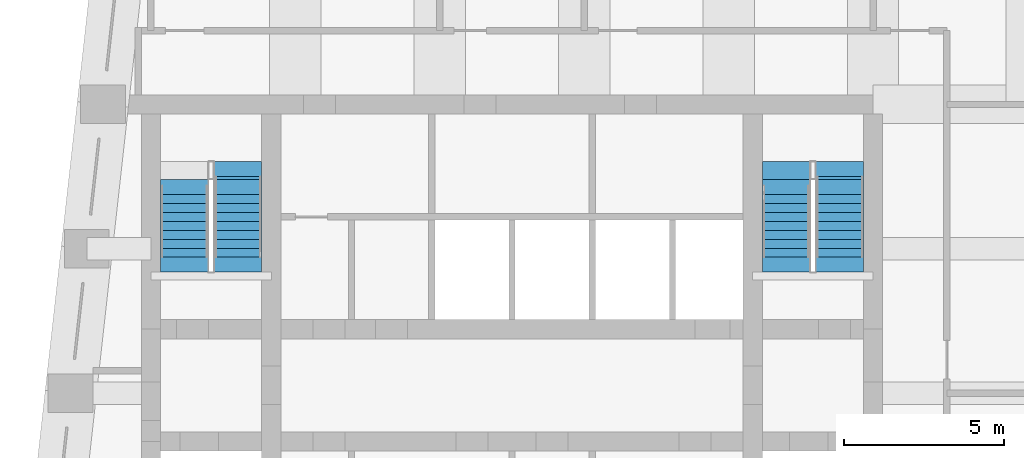
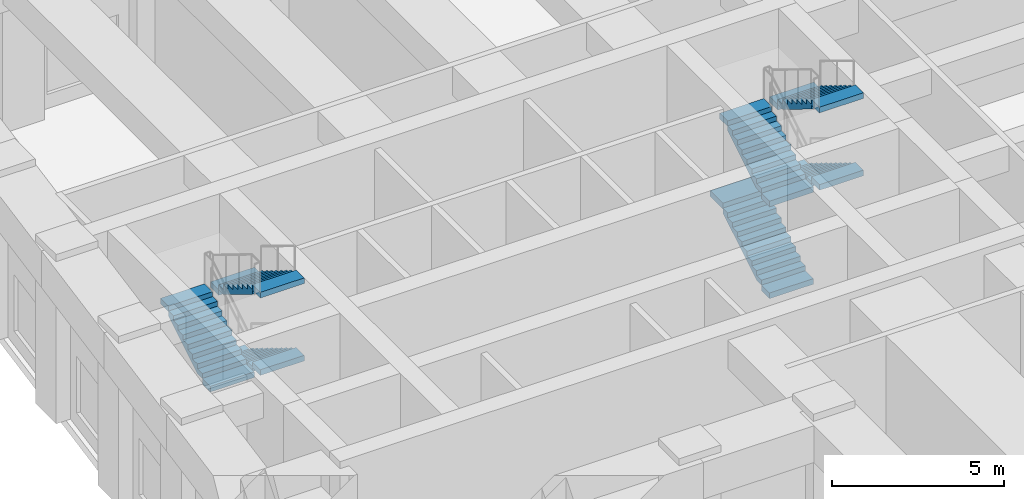
# One storey, part 5 of 7: 7 stair flights, 2 elements without a shape of their own.
"""IFC4 building model written with IfcOpenShell, lengths in metres."""

from ifc_helpers import new_model, si_unit, direction, frame, origin, place, context, subcontext, project, spatial, polyline, outline, extrude, material, type_object, element, aggregate, save


model = new_model("IFC4")

# Units and contexts
model_context = context("Model", 3, precision=1e-05, world=origin(), true_north=direction((0.0, 1.0)))
body_context = subcontext(model_context, "Body", "Model", "MODEL_VIEW")
ifc_project = project(units=[si_unit("LENGTHUNIT", "METRE"), si_unit("AREAUNIT", "SQUARE_METRE"), si_unit("VOLUMEUNIT", "CUBIC_METRE"), si_unit("PLANEANGLEUNIT", "RADIAN"), si_unit("MASSUNIT", "GRAM", prefix="KILO")], contexts=[model_context])

# Site, building, storey
site_placement = place(None, origin())
site = spatial("IfcSite", under=ifc_project, at=site_placement, CompositionType="ELEMENT")
building_placement = place(site_placement, origin())
building = spatial("IfcBuilding", under=site, at=building_placement, Name="Kilele Tower Hotel", CompositionType="ELEMENT")
storey_placement = place(building_placement, frame((0.0, 0.0, 244.699951171875)))
storey = spatial("IfcBuildingStorey", under=building, at=storey_placement, Name="L63", CompositionType="ELEMENT", Elevation=244.699951171875)

# Stair, stair flights
ifc_material_1 = material(Name="Precast concrete C40/50", Category="concrete")
stair_type = type_object("IfcStairType", Name="Stair 1475 x 6000", PredefinedType="HALF_TURN_STAIR", material=ifc_material_1)
stair_1_placement = place(storey_placement, origin())
stair_1 = element("IfcStair", 1, at=stair_1_placement, inside=storey, type_object=stair_type, Name="Stair 1 L63", PredefinedType="HALF_TURN_STAIR")
ifc_material_2 = material(Name="Precast concrete C40/50", Category="concrete")
stair_flight_type = type_object("IfcStairFlightType", Name="Flight 1475 riser 171.4", PredefinedType="STRAIGHT", material=ifc_material_2)
stair_flight_1_placement = place(storey_placement, frame((16.21240234375, 24.760009765625, 1.54296875), z_axis=(0.0, 0.0, 1.0), x_axis=(0.0, -1.0, 0.0)))
stair_flight_1 = element("IfcStairFlight", 2, at=stair_flight_1_placement, type_object=stair_flight_type, Name="ST1 flight 2", NumberOfRisers=10, NumberOfTreads=9, PredefinedType="STRAIGHT", RiserHeight=0.171428571, TreadLength=0.28, context=body_context, shape_type="SweptSolid", body=[
    extrude(outline(polyline([(0.0, 0.0), (0.0, 0.17138671875), (0.280029296875, 0.17138671875), (0.280029296875, 0.3427734375), (0.56005859375, 0.3427734375), (0.56005859375, 0.514404296875), (0.840087890625, 0.514404296875), (0.840087890625, 0.685791015625), (1.1201171875, 0.685791015625), (1.1201171875, 0.857177734375), (1.39990234375, 0.857177734375), (1.39990234375, 1.028564453125), (1.679931640625, 1.028564453125), (1.679931640625, 1.199951171875), (1.9599609375, 1.199951171875), (1.9599609375, 1.371337890625), (2.239990234375, 1.371337890625), (2.239990234375, 1.54296875), (2.52001953125, 1.54296875), (2.52001953125, 1.71435546875), (2.52001953125, 1.3671875), (0.287109375, 0.0), (0.0, 0.0)])), frame((0.0, 0.737548828125, 0.0), z_axis=(0.0, -1.0, 0.0), x_axis=(1.0, 0.0, 0.0)), (0.0, 0.0, 1.0), 1.47509765625),
    extrude(outline(polyline([(0.0, -0.7373046875), (0.0, 0.737548828125), (-0.465087890625, 0.737548828125), (-0.465087890625, -0.7373046875), (0.0, -0.7373046875)])), frame((0.0, 0.0, -0.199951171875)), (0.0, 0.0, 1.0), 0.199951171875),
    extrude(outline(polyline([(2.985107421875, -0.7373046875), (2.985107421875, 0.737548828125), (2.52001953125, 0.737548828125), (2.52001953125, -0.7373046875), (2.985107421875, -0.7373046875)])), frame((0.0, 0.0, 1.51416015625)), (0.0, 0.0, 1.0), 0.199951171875),
])
stair_flight_2_placement = place(storey_placement, frame((14.53759765625, 22.239990234375, 3.257080078125), z_axis=(0.0, 0.0, 1.0), x_axis=(0.0, 1.0, 0.0)))
stair_flight_2 = element("IfcStairFlight", 3, at=stair_flight_2_placement, type_object=stair_flight_type, Name="ST1 flight 3", NumberOfRisers=8, NumberOfTreads=7, PredefinedType="STRAIGHT", RiserHeight=0.171428571, TreadLength=0.28, context=body_context, shape_type="SweptSolid", body=[
    extrude(outline(polyline([(0.0, 0.0), (0.0, 0.17138671875), (0.280029296875, 0.17138671875), (0.280029296875, 0.3427734375), (0.56005859375, 0.3427734375), (0.56005859375, 0.514404296875), (0.840087890625, 0.514404296875), (0.840087890625, 0.685791015625), (1.1201171875, 0.685791015625), (1.1201171875, 0.857177734375), (1.39990234375, 0.857177734375), (1.39990234375, 1.028564453125), (1.679931640625, 1.028564453125), (1.679931640625, 1.199951171875), (1.9599609375, 1.199951171875), (1.9599609375, 1.371337890625), (1.9599609375, 1.024169921875), (0.287109375, 0.0), (0.0, 0.0)])), frame((0.0, 0.737548828125, 0.0), z_axis=(0.0, -1.0, 0.0), x_axis=(1.0, 0.0, 0.0)), (0.0, 0.0, 1.0), 1.47509765625),
    extrude(outline(polyline([(-0.465087890625, 0.737548828125), (-0.465087890625, -0.7373046875), (0.0, -0.7373046875), (0.0, 0.737548828125), (-0.465087890625, 0.737548828125)])), frame((0.0, 0.0, -0.199951171875)), (0.0, 0.0, 1.0), 0.199951171875),
    extrude(outline(polyline([(1.9599609375, 0.737548828125), (1.9599609375, -0.7373046875), (2.425048828125, -0.7373046875), (2.425048828125, 0.737548828125), (1.9599609375, 0.737548828125)])), frame((0.0, 0.0, 1.171630859375)), (0.0, 0.0, 1.0), 0.199951171875),
])
stair_flight_3_placement = place(storey_placement, frame((16.21240234375, 24.199951171875, 4.628662109375), z_axis=(0.0, 0.0, 1.0), x_axis=(0.0, -1.0, 0.0)))
stair_flight_3 = element("IfcStairFlight", 4, at=stair_flight_3_placement, type_object=stair_flight_type, Name="ST1 flight 4", NumberOfRisers=8, NumberOfTreads=7, PredefinedType="STRAIGHT", RiserHeight=0.171428571, TreadLength=0.28, context=body_context, shape_type="SweptSolid", body=[
    extrude(outline(polyline([(0.0, 0.0), (0.0, 0.17138671875), (0.280029296875, 0.17138671875), (0.280029296875, 0.3427734375), (0.56005859375, 0.3427734375), (0.56005859375, 0.514404296875), (0.840087890625, 0.514404296875), (0.840087890625, 0.685791015625), (1.1201171875, 0.685791015625), (1.1201171875, 0.857177734375), (1.39990234375, 0.857177734375), (1.39990234375, 1.028564453125), (1.679931640625, 1.028564453125), (1.679931640625, 1.199951171875), (1.9599609375, 1.199951171875), (1.9599609375, 1.371337890625), (1.9599609375, 1.024169921875), (0.287109375, 0.0), (0.0, 0.0)])), frame((0.0, 0.737548828125, 0.0), z_axis=(0.0, -1.0, 0.0), x_axis=(1.0, 0.0, 0.0)), (0.0, 0.0, 1.0), 1.47509765625),
    extrude(outline(polyline([(0.0, -0.7373046875), (0.0, 0.737548828125), (-0.465087890625, 0.737548828125), (-0.465087890625, -0.7373046875), (0.0, -0.7373046875)])), frame((0.0, 0.0, -0.199951171875)), (0.0, 0.0, 1.0), 0.199951171875),
    extrude(outline(polyline([(2.425048828125, -0.7373046875), (2.425048828125, 0.737548828125), (1.9599609375, 0.737548828125), (1.9599609375, -0.7373046875), (2.425048828125, -0.7373046875)])), frame((0.0, 0.0, 1.17138671875)), (0.0, 0.0, 1.0), 0.199951171875),
])
aggregate(stair_1, [stair_flight_1, stair_flight_2, stair_flight_3])

stair_2_placement = place(storey_placement, origin())
stair_2 = element("IfcStair", 5, at=stair_2_placement, inside=storey, type_object=stair_type, Name="Stair 2 L63", PredefinedType="HALF_TURN_STAIR")
stair_flight_4_placement = place(storey_placement, frame((33.28759765625, 22.239990234375, 0.0), z_axis=(0.0, 0.0, 1.0), x_axis=(0.0, 1.0, 0.0)))
stair_flight_4 = element("IfcStairFlight", 6, at=stair_flight_4_placement, type_object=stair_flight_type, Name="ST2 flight 1", NumberOfRisers=9, NumberOfTreads=8, PredefinedType="STRAIGHT", RiserHeight=0.171428571, TreadLength=0.28, context=body_context, shape_type="SweptSolid", body=[
    extrude(outline(polyline([(0.0, 0.0), (0.0, 0.17138671875), (0.280029296875, 0.17138671875), (0.280029296875, 0.3427734375), (0.56005859375, 0.3427734375), (0.56005859375, 0.514404296875), (0.840087890625, 0.514404296875), (0.840087890625, 0.685791015625), (1.1201171875, 0.685791015625), (1.1201171875, 0.857177734375), (1.39990234375, 0.857177734375), (1.39990234375, 1.028564453125), (1.679931640625, 1.028564453125), (1.679931640625, 1.199951171875), (1.9599609375, 1.199951171875), (1.9599609375, 1.371337890625), (2.239990234375, 1.371337890625), (2.239990234375, 1.54296875), (2.239990234375, 1.195556640625), (0.287109375, 0.0), (0.0, 0.0)])), frame((0.0, 0.737548828125, 0.0), z_axis=(0.0, -1.0, 0.0), x_axis=(1.0, 0.0, 0.0)), (0.0, 0.0, 1.0), 1.47509765625),
    extrude(outline(polyline([(-0.465087890625, 0.737548828125), (-0.465087890625, -0.7373046875), (0.0, -0.7373046875), (0.0, 0.737548828125), (-0.465087890625, 0.737548828125)])), frame((0.0, 0.0, -0.199951171875)), (0.0, 0.0, 1.0), 0.199951171875),
    extrude(outline(polyline([(2.239990234375, 0.737548828125), (2.239990234375, -0.7373046875), (2.985107421875, -0.7373046875), (2.985107421875, 0.737548828125), (2.239990234375, 0.737548828125)])), frame((0.0, 0.0, 1.343017578125)), (0.0, 0.0, 1.0), 0.199951171875),
])
stair_flight_5_placement = place(storey_placement, frame((34.96240234375, 24.760009765625, 1.54296875), z_axis=(0.0, 0.0, 1.0), x_axis=(0.0, -1.0, 0.0)))
stair_flight_5 = element("IfcStairFlight", 7, at=stair_flight_5_placement, type_object=stair_flight_type, Name="ST2 flight 2", NumberOfRisers=10, NumberOfTreads=9, PredefinedType="STRAIGHT", RiserHeight=0.171428571, TreadLength=0.28, context=body_context, shape_type="SweptSolid", body=[
    extrude(outline(polyline([(0.0, 0.0), (0.0, 0.17138671875), (0.280029296875, 0.17138671875), (0.280029296875, 0.3427734375), (0.56005859375, 0.3427734375), (0.56005859375, 0.514404296875), (0.840087890625, 0.514404296875), (0.840087890625, 0.685791015625), (1.1201171875, 0.685791015625), (1.1201171875, 0.857177734375), (1.39990234375, 0.857177734375), (1.39990234375, 1.028564453125), (1.679931640625, 1.028564453125), (1.679931640625, 1.199951171875), (1.9599609375, 1.199951171875), (1.9599609375, 1.371337890625), (2.239990234375, 1.371337890625), (2.239990234375, 1.54296875), (2.52001953125, 1.54296875), (2.52001953125, 1.71435546875), (2.52001953125, 1.3671875), (0.287109375, 0.0), (0.0, 0.0)])), frame((0.0, 0.737548828125, 0.0), z_axis=(0.0, -1.0, 0.0), x_axis=(1.0, 0.0, 0.0)), (0.0, 0.0, 1.0), 1.47509765625),
    extrude(outline(polyline([(0.0, -0.7373046875), (0.0, 0.737548828125), (-0.465087890625, 0.737548828125), (-0.465087890625, -0.7373046875), (0.0, -0.7373046875)])), frame((0.0, 0.0, -0.199951171875)), (0.0, 0.0, 1.0), 0.199951171875),
    extrude(outline(polyline([(2.985107421875, -0.7373046875), (2.985107421875, 0.737548828125), (2.52001953125, 0.737548828125), (2.52001953125, -0.7373046875), (2.985107421875, -0.7373046875)])), frame((0.0, 0.0, 1.51416015625)), (0.0, 0.0, 1.0), 0.199951171875),
])
stair_flight_6_placement = place(storey_placement, frame((33.28759765625, 22.239990234375, 3.257080078125), z_axis=(0.0, 0.0, 1.0), x_axis=(0.0, 1.0, 0.0)))
stair_flight_6 = element("IfcStairFlight", 8, at=stair_flight_6_placement, type_object=stair_flight_type, Name="ST2 flight 3", NumberOfRisers=8, NumberOfTreads=7, PredefinedType="STRAIGHT", RiserHeight=0.171428571, TreadLength=0.28, context=body_context, shape_type="SweptSolid", body=[
    extrude(outline(polyline([(0.0, 0.0), (0.0, 0.17138671875), (0.280029296875, 0.17138671875), (0.280029296875, 0.3427734375), (0.56005859375, 0.3427734375), (0.56005859375, 0.514404296875), (0.840087890625, 0.514404296875), (0.840087890625, 0.685791015625), (1.1201171875, 0.685791015625), (1.1201171875, 0.857177734375), (1.39990234375, 0.857177734375), (1.39990234375, 1.028564453125), (1.679931640625, 1.028564453125), (1.679931640625, 1.199951171875), (1.9599609375, 1.199951171875), (1.9599609375, 1.371337890625), (1.9599609375, 1.024169921875), (0.287109375, 0.0), (0.0, 0.0)])), frame((0.0, 0.737548828125, 0.0), z_axis=(0.0, -1.0, 0.0), x_axis=(1.0, 0.0, 0.0)), (0.0, 0.0, 1.0), 1.47509765625),
    extrude(outline(polyline([(-0.465087890625, 0.737548828125), (-0.465087890625, -0.7373046875), (0.0, -0.7373046875), (0.0, 0.737548828125), (-0.465087890625, 0.737548828125)])), frame((0.0, 0.0, -0.199951171875)), (0.0, 0.0, 1.0), 0.199951171875),
    extrude(outline(polyline([(1.9599609375, 0.737548828125), (1.9599609375, -0.7373046875), (2.425048828125, -0.7373046875), (2.425048828125, 0.737548828125), (1.9599609375, 0.737548828125)])), frame((0.0, 0.0, 1.171630859375)), (0.0, 0.0, 1.0), 0.199951171875),
])
stair_flight_7_placement = place(storey_placement, frame((34.96240234375, 24.199951171875, 4.628662109375), z_axis=(0.0, 0.0, 1.0), x_axis=(0.0, -1.0, 0.0)))
stair_flight_7 = element("IfcStairFlight", 9, at=stair_flight_7_placement, type_object=stair_flight_type, Name="ST2 flight 4", NumberOfRisers=8, NumberOfTreads=7, PredefinedType="STRAIGHT", RiserHeight=0.171428571, TreadLength=0.28, context=body_context, shape_type="SweptSolid", body=[
    extrude(outline(polyline([(0.0, 0.0), (0.0, 0.17138671875), (0.280029296875, 0.17138671875), (0.280029296875, 0.3427734375), (0.56005859375, 0.3427734375), (0.56005859375, 0.514404296875), (0.840087890625, 0.514404296875), (0.840087890625, 0.685791015625), (1.1201171875, 0.685791015625), (1.1201171875, 0.857177734375), (1.39990234375, 0.857177734375), (1.39990234375, 1.028564453125), (1.679931640625, 1.028564453125), (1.679931640625, 1.199951171875), (1.9599609375, 1.199951171875), (1.9599609375, 1.371337890625), (1.9599609375, 1.024169921875), (0.287109375, 0.0), (0.0, 0.0)])), frame((0.0, 0.737548828125, 0.0), z_axis=(0.0, -1.0, 0.0), x_axis=(1.0, 0.0, 0.0)), (0.0, 0.0, 1.0), 1.47509765625),
    extrude(outline(polyline([(0.0, -0.7373046875), (0.0, 0.737548828125), (-0.465087890625, 0.737548828125), (-0.465087890625, -0.7373046875), (0.0, -0.7373046875)])), frame((0.0, 0.0, -0.199951171875)), (0.0, 0.0, 1.0), 0.199951171875),
    extrude(outline(polyline([(2.425048828125, -0.7373046875), (2.425048828125, 0.737548828125), (1.9599609375, 0.737548828125), (1.9599609375, -0.7373046875), (2.425048828125, -0.7373046875)])), frame((0.0, 0.0, 1.17138671875)), (0.0, 0.0, 1.0), 0.199951171875),
])
aggregate(stair_2, [stair_flight_4, stair_flight_5, stair_flight_6, stair_flight_7])

save(model, "model.ifc")
